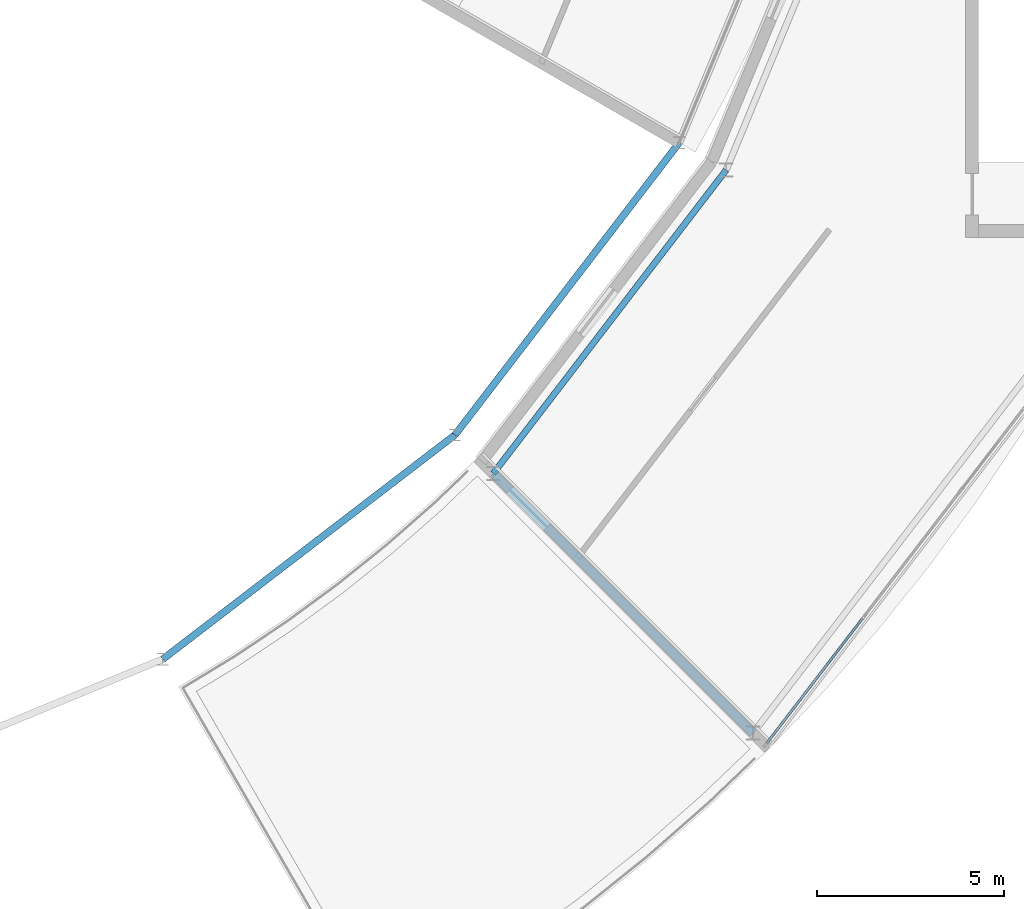
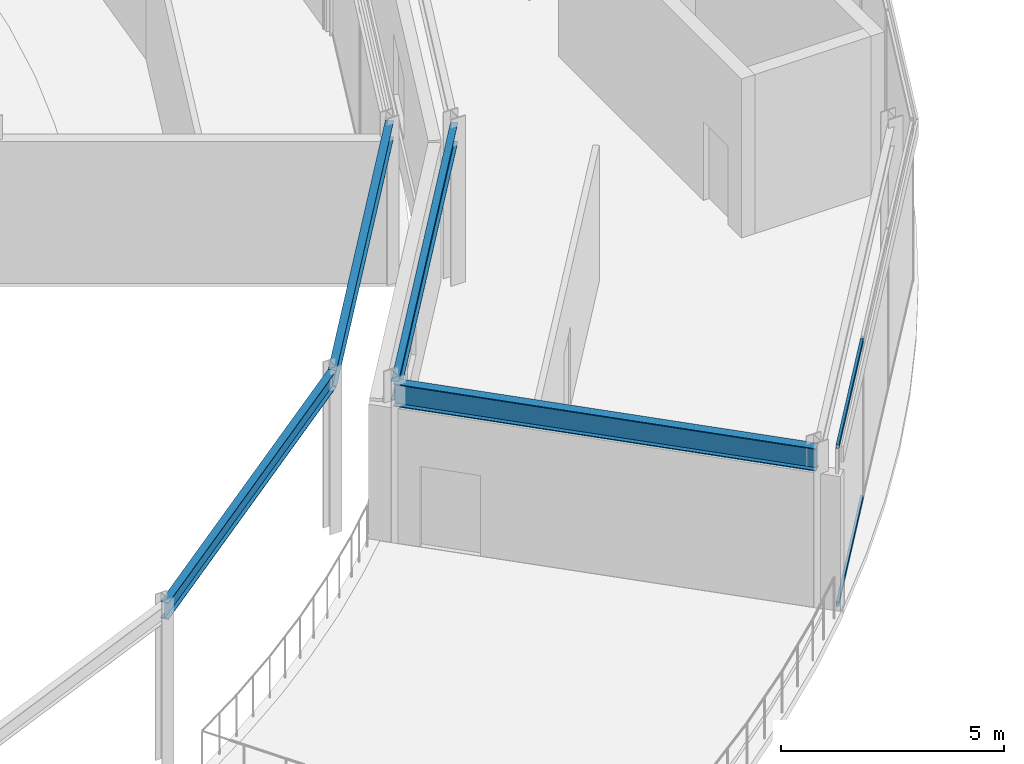
# One storey, part 42 of 157: 4 beams, 2 members, 1 element without a shape of its own.
"""IFC4 building model written with IfcOpenShell, lengths in metres."""

from ifc_helpers import new_model, si_unit, direction, frame, origin, origin_2d, place, context, subcontext, project, spatial, hollow_rectangle, i_section, extrude, material, material_profile, profile_set, type_object, element, aggregate, save


model = new_model("IFC4")

# Units and contexts
model_context = context("Model", 3, precision=1e-05, world=origin(), true_north=direction((0.0, 1.0)))
body_context = subcontext(model_context, "Body", "Model", "MODEL_VIEW")
ifc_project = project(units=[si_unit("LENGTHUNIT", "METRE"), si_unit("AREAUNIT", "SQUARE_METRE"), si_unit("VOLUMEUNIT", "CUBIC_METRE"), si_unit("PLANEANGLEUNIT", "RADIAN"), si_unit("MASSUNIT", "GRAM", prefix="KILO")], contexts=[model_context])

# Site, building, storey
site_placement = place(None, origin())
site = spatial("IfcSite", under=ifc_project, at=site_placement, CompositionType="ELEMENT")
building_placement = place(site_placement, origin())
building = spatial("IfcBuilding", under=site, at=building_placement, Name="Almandine Court Research Institute", CompositionType="ELEMENT")
storey_placement = place(building_placement, frame((0.0, 0.0, 5.25)))
storey = spatial("IfcBuildingStorey", under=building, at=storey_placement, Name="L01", CompositionType="ELEMENT", Elevation=5.25)

# Beams
ifc_material_1 = material(Name="Steel ASTM A992 Grade 50", Category="steel")
ifc_material_profile_1 = material_profile(ifc_material_1, i_section(OverallWidth=0.18994140625, OverallDepth=0.45703125, WebThickness=0.009033203125, FlangeThickness=0.014892578125, at=origin_2d()), Name="W460x74")
ifc_profile_set_1 = profile_set([ifc_material_profile_1], Name="Steel ASTM A992 Grade 50")
beam_type_1 = type_object("IfcBeamType", Name="Beam-B-01", PredefinedType="BEAM", material=ifc_profile_set_1)
for number, where, z_axis, x_axis, name in (
    (1, (105.824951171875, 23.39404296875, 4.14111328125), (0.793391623282, 0.608711534396, 0.0), (-0.608711534396, 0.793391623282, 0.0), "L01 Atrium Outer Ring Beam"),
    (2, (113.623046875, 29.376953125, 4.14111328125), (0.608711534396, 0.793391623282, 0.0), (-0.793391623282, 0.608711534396, 0.0), "L01 Atrium Outer Ring Beam"),
):
    element("IfcBeam", number, at=place(storey_placement, frame(where, z_axis=z_axis, x_axis=x_axis)), inside=storey, type_object=beam_type_1, Name=name, PredefinedType="BEAM", context=body_context, shape_type="SweptSolid", body=[
        extrude(i_section(OverallWidth=0.18994140625, OverallDepth=0.45703125, WebThickness=0.009033203125, FlangeThickness=0.014892578125, at=origin_2d()), origin(), (0.0, 0.0, 1.0), 9.828857421875),
    ])
ifc_material_profile_2 = material_profile(ifc_material_1, i_section(OverallWidth=0.22998046875, OverallDepth=0.616943359375, WebThickness=0.012939453125, FlangeThickness=0.02197265625, at=origin_2d()), Name="W610x140")
ifc_profile_set_2 = profile_set([ifc_material_profile_2], Name="Steel ASTM A992 Grade 50")
beam_type_2 = type_object("IfcBeamType", Name="Beam-G-02", PredefinedType="BEAM", material=ifc_profile_set_2)
beam_1_placement = place(storey_placement, frame((114.64794921875, 28.35205078125, 4.013916015625), z_axis=(0.707106781187, -0.707106781187, 0.0), x_axis=(0.707106781187, 0.707106781187, 0.0)))
element("IfcBeam", 3, at=beam_1_placement, inside=storey, type_object=beam_type_2, Name="L01 Drum Radial Girder 21", PredefinedType="BEAM", context=body_context, shape_type="SweptSolid", body=[
    extrude(i_section(OverallWidth=0.22998046875, OverallDepth=0.616943359375, WebThickness=0.012939453125, FlangeThickness=0.02197265625, at=origin_2d()), origin(), (0.0, 0.0, 1.0), 9.80029296875),
])
ifc_material_profile_3 = material_profile(ifc_material_1, i_section(OverallWidth=0.166015625, OverallDepth=0.534912109375, WebThickness=0.010009765625, FlangeThickness=0.01708984375, at=origin_2d()), Name="W530x85")
ifc_profile_set_3 = profile_set([ifc_material_profile_3], Name="Steel ASTM A992 Grade 50")
beam_type_3 = type_object("IfcBeamType", Name="Beam-G-05-E", PredefinedType="SPANDREL", material=ifc_profile_set_3)
beam_2_placement = place(storey_placement, frame((114.64794921875, 28.35205078125, 4.054931640625), z_axis=(0.608784478787, 0.793335653042, 0.0), x_axis=(-0.793335653042, 0.608784478787, 0.0)))
element("IfcBeam", 4, at=beam_2_placement, inside=storey, type_object=beam_type_3, Name="L01 Drum IN Ring Beam 21", PredefinedType="SPANDREL", context=body_context, shape_type="SweptSolid", body=[
    extrude(i_section(OverallWidth=0.166015625, OverallDepth=0.534912109375, WebThickness=0.010009765625, FlangeThickness=0.01708984375, at=origin_2d()), origin(), (0.0, 0.0, 1.0), 10.20751953125),
])

# Curtain wall, members
ifc_material_2 = material(Name="Unitised Curtain Wall Framing and Solar Glazing", Category="glass")
curtain_wall_type = type_object("IfcCurtainWallType", Name="CW-CWJ-19", PredefinedType="USERDEFINED", material=ifc_material_2)
curtain_wall_placement = place(storey_placement, origin())
curtain_wall = element("IfcCurtainWall", 5, at=curtain_wall_placement, inside=storey, type_object=curtain_wall_type, Name="L01 Stacked-Ring Drum Outer Solar Jali Screen 21", ObjectType="SOLAR JALI SCREEN", PredefinedType="USERDEFINED")
ifc_material_3 = material(Name="Anodised Aluminium AW-6063-T6", Category="aluminium")
ifc_material_profile_4 = material_profile(ifc_material_3, hollow_rectangle(XDim=0.06494140625, YDim=0.1298828125, WallThickness=0.00390625, at=origin_2d()), Name="ALU RHS 65x130x4")
ifc_profile_set_4 = profile_set([ifc_material_profile_4], Name="Anodised Aluminium AW-6063-T6")
member_type = type_object("IfcMemberType", Name="CWTrn-65x130", PredefinedType="NOTDEFINED", material=ifc_profile_set_4)
member_1_placement = place(storey_placement, frame((124.499267578125, 24.47998046875, 0.032470703125), z_axis=(-0.608725941364, -0.793380569658, 0.0), x_axis=(0.793380569658, -0.608725941364, 0.0)))
member_1 = element("IfcMember", 6, at=member_1_placement, type_object=member_type, Name="CWJ-19 transom 3.1", ObjectType="TRANSOM", PredefinedType="USERDEFINED", context=body_context, shape_type="SweptSolid", body=[
    extrude(hollow_rectangle(XDim=0.06494140625, YDim=0.1298828125, WallThickness=0.00390625, at=origin_2d()), origin(), (0.0, 0.0, 1.0), 4.195068359375),
])
member_2_placement = place(storey_placement, frame((124.499267578125, 24.47998046875, 4.33740234375), z_axis=(-0.608725941364, -0.793380569658, 0.0), x_axis=(0.793380569658, -0.608725941364, 0.0)))
member_2 = element("IfcMember", 7, at=member_2_placement, type_object=member_type, Name="CWJ-19 transom 3.2", ObjectType="TRANSOM", PredefinedType="USERDEFINED", context=body_context, shape_type="SweptSolid", body=[
    extrude(hollow_rectangle(XDim=0.06494140625, YDim=0.1298828125, WallThickness=0.00390625, at=origin_2d()), origin(), (0.0, 0.0, 1.0), 4.195068359375),
])
aggregate(curtain_wall, [member_1, member_2])

save(model, "model.ifc")
